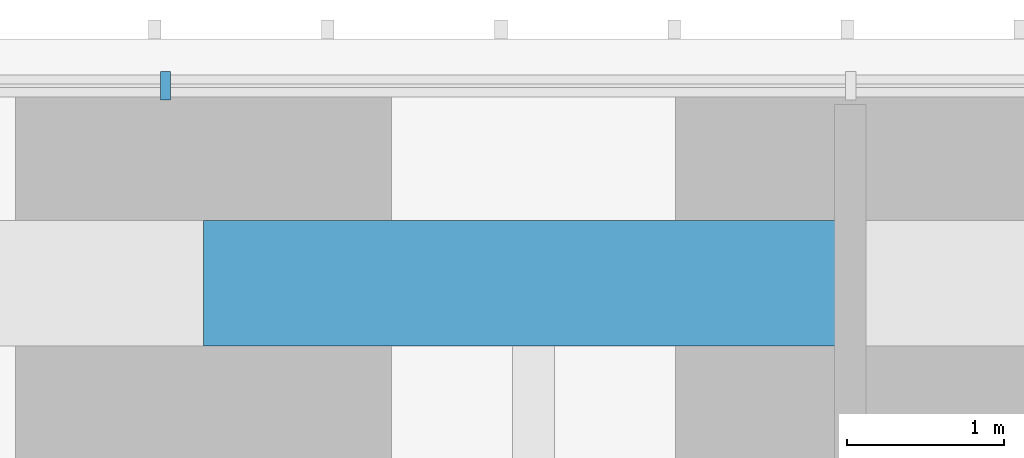
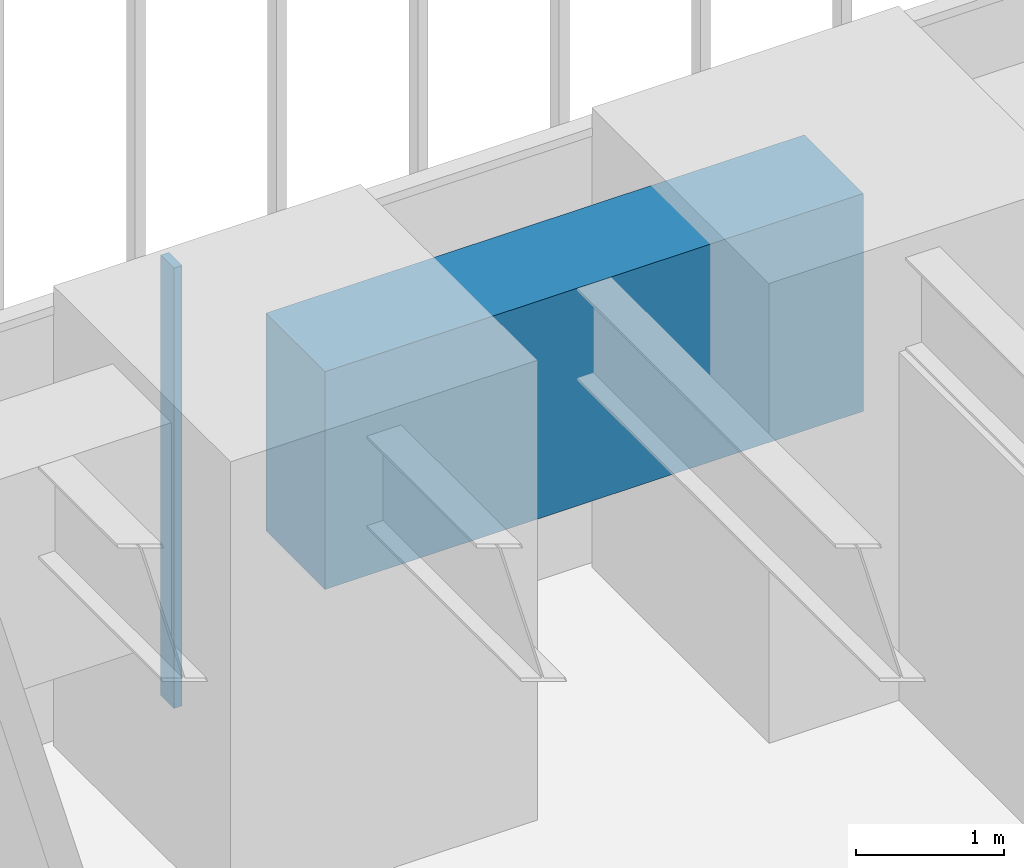
# One storey, part 181 of 256: 1 beam, 1 member, 1 element without a shape of its own.
"""IFC4 building model written with IfcOpenShell, lengths in metres."""

from ifc_helpers import new_model, si_unit, direction, frame, origin, origin_2d, place, context, subcontext, project, spatial, rectangle, extrude, material, material_profile, profile_set, type_object, element, aggregate, save


model = new_model("IFC4")

# Units and contexts
model_context = context("Model", 3, precision=1e-05, world=origin(), true_north=direction((0.0, 1.0)))
body_context = subcontext(model_context, "Body", "Model", "MODEL_VIEW")
ifc_project = project(units=[si_unit("LENGTHUNIT", "METRE"), si_unit("AREAUNIT", "SQUARE_METRE"), si_unit("VOLUMEUNIT", "CUBIC_METRE"), si_unit("PLANEANGLEUNIT", "RADIAN"), si_unit("MASSUNIT", "GRAM", prefix="KILO")], contexts=[model_context])

# Site, building, storey
site_placement = place(None, origin())
site = spatial("IfcSite", under=ifc_project, at=site_placement, CompositionType="ELEMENT")
building_placement = place(site_placement, origin())
building = spatial("IfcBuilding", under=site, at=building_placement, Name="Sandreach Pilgrim Tower", CompositionType="ELEMENT")
storey_placement = place(building_placement, frame((0.0, 0.0, 23.0)))
storey = spatial("IfcBuildingStorey", under=building, at=storey_placement, Name="L04", CompositionType="ELEMENT", Elevation=23.0)

# Curtain wall, member
ifc_material_1 = material(Name="Aluminium framed curtain wall", Category="aluminium")
curtain_wall_type = type_object("IfcCurtainWallType", Name="Hostel tower curtain wall", PredefinedType="NOTDEFINED", material=ifc_material_1)
curtain_wall_placement = place(storey_placement, origin())
curtain_wall = element("IfcCurtainWall", 1, at=curtain_wall_placement, inside=storey, type_object=curtain_wall_type, Name="CW-1 L04 N", PredefinedType="NOTDEFINED")
ifc_material_2 = material(Name="Aluminium extrusion", Category="aluminium")
ifc_material_profile_1 = material_profile(ifc_material_2, rectangle(XDim=0.06494140625, YDim=0.179931640625, at=origin_2d()), Name="CW-1M 65X180")
ifc_profile_set_1 = profile_set([ifc_material_profile_1], Name="Aluminium extrusion")
member_type = type_object("IfcMemberType", Name="CW-1 mullion", PredefinedType="MULLION", material=ifc_profile_set_1)
member_placement = place(storey_placement, frame((-6.557373046875, 23.94873046875, 0.0), z_axis=(0.0, 0.0, 1.0), x_axis=(1.0, 0.0, 0.0)))
member = element("IfcMember", 2, at=member_placement, type_object=member_type, Name="CW-1 mullion 4", PredefinedType="MULLION", context=body_context, shape_type="SweptSolid", body=[
    extrude(rectangle(XDim=0.06494140625, YDim=0.179931640625, at=origin_2d()), origin(), (0.0, 0.0, 1.0), 3.639892578125),
])
aggregate(curtain_wall, [member])

# Beam
ifc_material_3 = material(Name="Concrete 10000 psi", Category="concrete")
ifc_material_profile_2 = material_profile(ifc_material_3, rectangle(XDim=0.800048828125, YDim=1.800048828125, at=origin_2d()), Name="RC800X1800")
ifc_profile_set_2 = profile_set([ifc_material_profile_2], Name="Concrete 10000 psi")
beam_type = type_object("IfcBeamType", Name="Spandrel beam RC800X1800", PredefinedType="SPANDREL", material=ifc_profile_set_2)
beam_placement = place(storey_placement, frame((-6.31494140625, 22.688720703125, 2.739990234375), z_axis=(1.0, 0.0, 0.0), x_axis=(0.0, 1.0, 0.0)))
element("IfcBeam", 3, at=beam_placement, inside=storey, type_object=beam_type, Name="BM L04 SP03", PredefinedType="SPANDREL", context=body_context, shape_type="SweptSolid", body=[
    extrude(rectangle(XDim=0.800048828125, YDim=1.800048828125, at=origin_2d()), origin(), (0.0, 0.0, 1.0), 4.2099609375),
])

save(model, "model.ifc")
